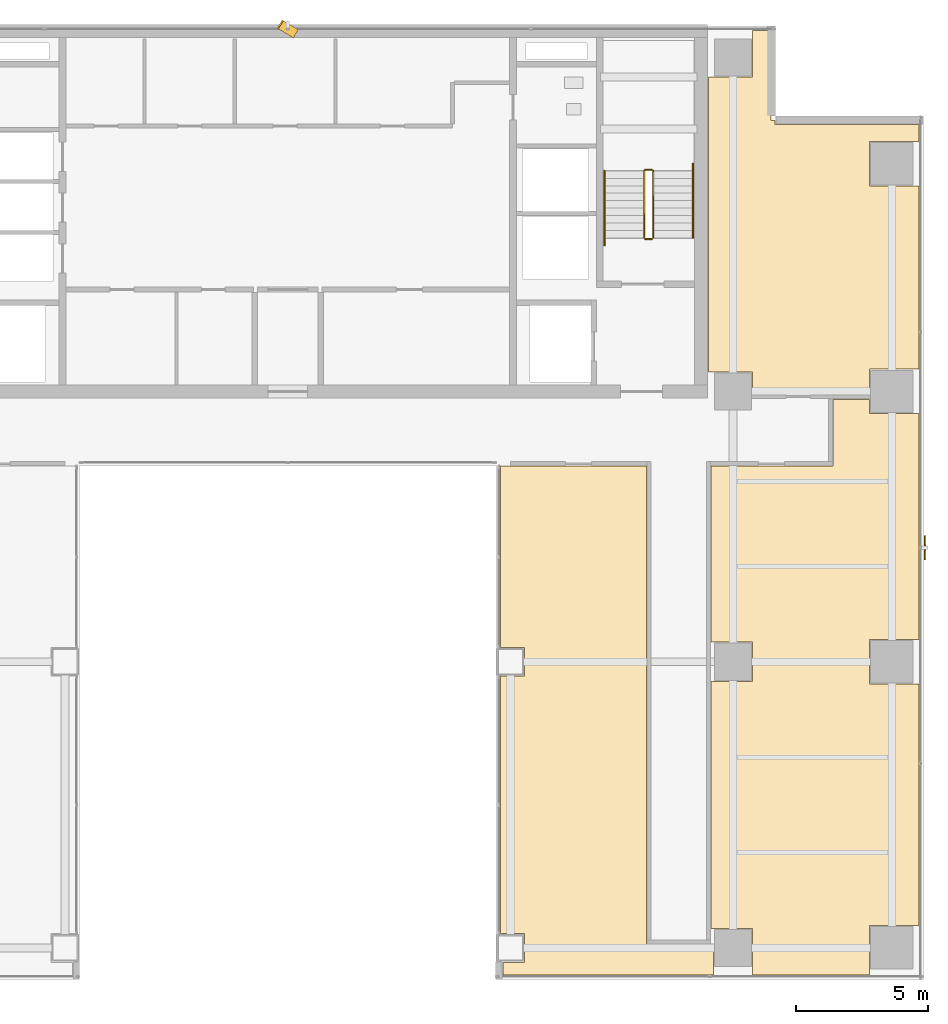
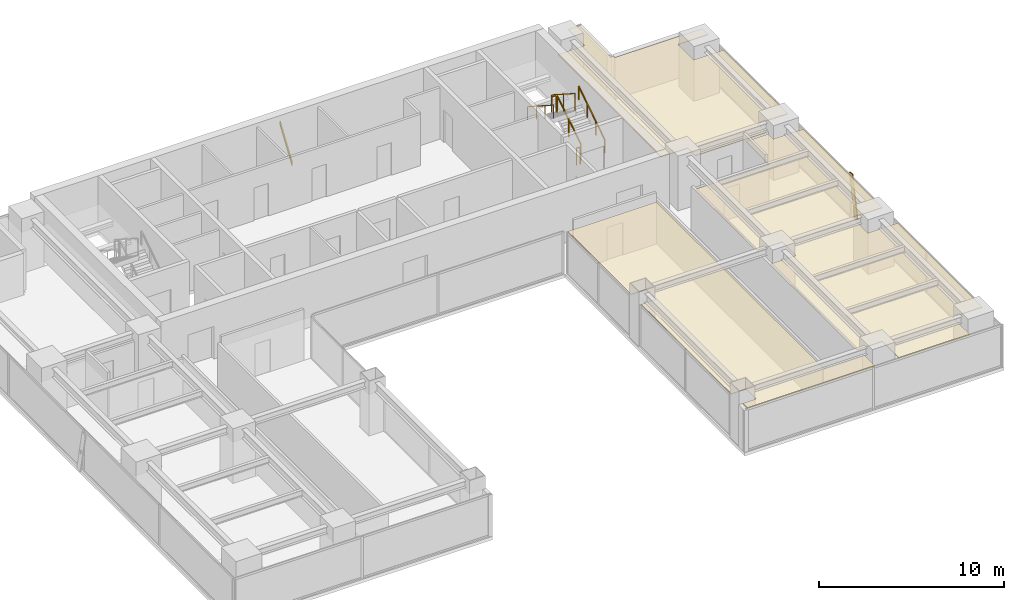
# One storey, part 27 of 28: 6 railings, 3 coverings, 2 shading devices.
"""IFC4 building model written with IfcOpenShell, lengths in metres."""

from ifc_helpers import new_model, si_unit, direction, frame, origin, origin_2d, place, context, subcontext, project, spatial, polyline, rectangle, outline, extrude, source, transform, mapped, material, layer, layer_set, material_profile, profile_set, type_object, element, save


model = new_model("IFC4")

# Units and contexts
model_context = context("Model", 3, precision=1e-05, world=origin(), true_north=direction((0.0, 1.0)))
body_context = subcontext(model_context, "Body", "Model", "MODEL_VIEW")
ifc_project = project(units=[si_unit("LENGTHUNIT", "METRE"), si_unit("AREAUNIT", "SQUARE_METRE"), si_unit("VOLUMEUNIT", "CUBIC_METRE"), si_unit("PLANEANGLEUNIT", "RADIAN"), si_unit("MASSUNIT", "GRAM", prefix="KILO")], contexts=[model_context])

# Site, building, storey
site_placement = place(None, origin())
site = spatial("IfcSite", under=ifc_project, at=site_placement, CompositionType="ELEMENT")
building_placement = place(site_placement, origin())
building = spatial("IfcBuilding", under=site, at=building_placement, Name="Sumidabori Civic Tower", CompositionType="ELEMENT")
storey_placement = place(building_placement, frame((0.0, 0.0, 210.800048828125)))
storey = spatial("IfcBuildingStorey", under=building, at=storey_placement, Name="L54", CompositionType="ELEMENT", Elevation=210.800048828125)

# Coverings
ifc_material_1 = material(Name="Perforated Timber Acoustic Ceiling", Category="wood")
ifc_layer = layer(ifc_material_1, 0.044921875, Name="Perforated Timber Acoustic Ceiling")
ifc_layer_set = layer_set([ifc_layer], Name="Perforated Timber Acoustic Ceiling")
covering_type = type_object("IfcCoveringType", Name="CV-CEIL-AC2", PredefinedType="CEILING", material=ifc_layer_set)
covering_1_placement = place(storey_placement, frame((0.0, 0.0, 2.72998046875)))
element("IfcCovering", 1, at=covering_1_placement, inside=storey, type_object=covering_type, Name="Room Acoustic Ceiling L54-02", PredefinedType="CEILING", context=body_context, shape_type="SweptSolid", body=[
    extrude(outline(polyline([(23.830078125, 20.27197265625), (23.830078125, 19.639892578125), (21.9599609375, 19.639892578125), (21.9599609375, 17.9599609375), (23.830078125, 17.9599609375), (23.830078125, 11.0400390625), (21.9599609375, 11.0400390625), (21.9599609375, 10.094970703125), (20.570068359375, 10.094970703125), (20.570068359375, 10.1201171875), (17.5400390625, 10.1201171875), (17.5400390625, 10.93994140625), (15.8779296875, 10.93994140625), (15.8779296875, 22.06005859375), (17.5400390625, 22.06005859375), (17.5400390625, 23.830078125), (18.22998046875, 23.830078125), (18.22998046875, 20.429931640625), (18.39208984375, 20.429931640625), (18.39208984375, 20.27197265625), (23.830078125, 20.27197265625)])), origin(), (0.0, 0.0, 1.0), 0.044921875),
])
covering_2_placement = place(storey_placement, frame((0.0, 0.0, 2.72998046875)))
element("IfcCovering", 2, at=covering_2_placement, inside=storey, type_object=covering_type, Name="Room Acoustic Ceiling L54-04", PredefinedType="CEILING", context=body_context, shape_type="SweptSolid", body=[
    extrude(outline(polyline([(17.5400390625, -10.06005859375), (15.969970703125, -10.06005859375), (15.969970703125, -0.739990234375), (17.5400390625, -0.739990234375), (17.5400390625, 0.739990234375), (15.969970703125, 0.739990234375), (15.969970703125, 7.3798828125), (20.570068359375, 7.3798828125), (20.570068359375, 9.905029296875), (21.9599609375, 9.905029296875), (21.9599609375, 9.360107421875), (23.830078125, 9.360107421875), (23.830078125, 0.840087890625), (21.9599609375, 0.840087890625), (21.9599609375, -0.840087890625), (23.830078125, -0.840087890625), (23.830078125, -9.9599609375), (21.9599609375, -9.9599609375), (21.9599609375, -11.830078125), (17.5400390625, -11.830078125), (17.5400390625, -10.06005859375)])), origin(), (0.0, 0.0, 1.0), 0.044921875),
])
covering_3_placement = place(storey_placement, frame((0.0, 0.0, 2.72998046875)))
element("IfcCovering", 3, at=covering_3_placement, inside=storey, type_object=covering_type, Name="Room Acoustic Ceiling L54-06", PredefinedType="CEILING", context=body_context, shape_type="SweptSolid", body=[
    extrude(outline(polyline([(8.93994140625, -11.340087890625), (8.93994140625, -10.260009765625), (8.02001953125, -10.260009765625), (8.02001953125, -0.5400390625), (8.93994140625, -0.5400390625), (8.93994140625, 0.5400390625), (8.02001953125, 0.5400390625), (8.02001953125, 7.3798828125), (13.530029296875, 7.3798828125), (13.530029296875, -10.669921875), (16.06005859375, -10.669921875), (16.06005859375, -11.830078125), (8.117919921875, -11.830078125), (8.117919921875, -11.340087890625), (8.93994140625, -11.340087890625)])), origin(), (0.0, 0.0, 1.0), 0.044921875),
])

# Railings
ifc_material_2 = material(Name="Stainless Steel Hairline Finish", Category="steel")
railing_type_1 = type_object("IfcRailingType", Name="RL-HANDRAIL", PredefinedType="HANDRAIL", material=ifc_material_2)
railing_1_placement = place(storey_placement, frame((15.2900390625, 16.0, 0.179931640625)))
element("IfcRailing", 4, at=railing_1_placement, inside=storey, type_object=railing_type_1, Name="L54 ST-2 stair handrail 1", PredefinedType="HANDRAIL", context=body_context, shape_type="SweptSolid", body=[
    extrude(rectangle(XDim=0.048095703125, YDim=0.048095703125, at=origin_2d()), frame((0.0, 0.0, 0.8759765625), z_axis=(0.0, 0.840675598268, 0.541539046124), x_axis=(-1.0, 0.0, 0.0)), (0.0, 0.0, 1.0), 3.330810546875),
    extrude(rectangle(XDim=0.0419921875, YDim=0.0419921875, at=origin_2d()), origin(), (0.0, 0.0, 1.0), 0.851806640625),
    extrude(rectangle(XDim=0.0419921875, YDim=0.0419921875, at=origin_2d()), frame((0.0, 0.933349609375, 0.601318359375)), (0.0, 0.0, 1.0), 0.851806640625),
    extrude(rectangle(XDim=0.0419921875, YDim=0.0419921875, at=origin_2d()), frame((0.0, 1.86669921875, 1.202392578125)), (0.0, 0.0, 1.0), 0.851806640625),
    extrude(rectangle(XDim=0.0419921875, YDim=0.0419921875, at=origin_2d()), frame((0.0, 2.800048828125, 1.8037109375)), (0.0, 0.0, 1.0), 0.851806640625),
])
railing_2_placement = place(storey_placement, frame((11.949951171875, 18.52001953125, 1.97998046875)))
element("IfcRailing", 5, at=railing_2_placement, inside=storey, type_object=railing_type_1, Name="L54 ST-2 stair handrail 2", PredefinedType="HANDRAIL", context=body_context, shape_type="SweptSolid", body=[
    extrude(rectangle(XDim=0.048095703125, YDim=0.048095703125, at=origin_2d()), frame((0.0, 0.0, 0.8759765625), z_axis=(0.0, -0.840675598268, 0.541539046124), x_axis=(1.0, 0.0, 0.0)), (0.0, 0.0, 1.0), 3.330810546875),
    extrude(rectangle(XDim=0.0419921875, YDim=0.0419921875, at=origin_2d()), origin(), (0.0, 0.0, 1.0), 0.851806640625),
    extrude(rectangle(XDim=0.0419921875, YDim=0.0419921875, at=origin_2d()), frame((0.0, -0.933349609375, 0.601318359375)), (0.0, 0.0, 1.0), 0.851806640625),
    extrude(rectangle(XDim=0.0419921875, YDim=0.0419921875, at=origin_2d()), frame((0.0, -1.86669921875, 1.202392578125)), (0.0, 0.0, 1.0), 0.851806640625),
    extrude(rectangle(XDim=0.0419921875, YDim=0.0419921875, at=origin_2d()), frame((0.0, -2.800048828125, 1.8037109375)), (0.0, 0.0, 1.0), 0.851806640625),
])
ifc_material_3 = material(Name="Steel SN490", Category="steel")
railing_type_2 = type_object("IfcRailingType", Name="RL-STAIR-GUARD", PredefinedType="GUARDRAIL", material=ifc_material_3)
railing_3_placement = place(storey_placement, frame((13.7900390625, 16.0, 0.179931640625)))
element("IfcRailing", 6, at=railing_3_placement, inside=storey, type_object=railing_type_2, Name="L54 ST-2 stair guard 1", PredefinedType="GUARDRAIL", context=body_context, shape_type="SweptSolid", body=[
    extrude(rectangle(XDim=0.048095703125, YDim=0.048095703125, at=origin_2d()), frame((0.0, 0.0, 1.1259765625), z_axis=(0.0, 0.841162588446, 0.540782303519), x_axis=(-1.0, 0.0, 0.0)), (0.0, 0.0, 1.0), 2.995849609375),
    extrude(rectangle(XDim=0.0419921875, YDim=0.0419921875, at=origin_2d()), origin(), (0.0, 0.0, 1.0), 1.101806640625),
    extrude(rectangle(XDim=0.0419921875, YDim=0.0419921875, at=origin_2d()), frame((0.0, 1.260009765625, 0.81005859375)), (0.0, 0.0, 1.0), 1.101806640625),
    extrude(rectangle(XDim=0.0419921875, YDim=0.0419921875, at=origin_2d()), frame((0.0, 2.52001953125, 1.6201171875)), (0.0, 0.0, 1.0), 1.101806640625),
])
railing_4_placement = place(storey_placement, frame((13.739990234375, 18.570068359375, 1.800048828125)))
element("IfcRailing", 7, at=railing_4_placement, inside=storey, type_object=railing_type_2, Name="L54 ST-2 stair guard 2", PredefinedType="GUARDRAIL", context=body_context, shape_type="SweptSolid", body=[
    extrude(rectangle(XDim=0.048095703125, YDim=0.048095703125, at=origin_2d()), frame((0.0, 0.0, 1.1259765625), z_axis=(-1.0, 0.0, 0.0), x_axis=(0.0, -1.0, 0.0)), (0.0, 0.0, 1.0), 0.239990234375),
    extrude(rectangle(XDim=0.0419921875, YDim=0.0419921875, at=origin_2d()), origin(), (0.0, 0.0, 1.0), 1.101806640625),
    extrude(rectangle(XDim=0.0419921875, YDim=0.0419921875, at=origin_2d()), frame((-0.239990234375, 0.0, 0.0)), (0.0, 0.0, 1.0), 1.101806640625),
])
railing_5_placement = place(storey_placement, frame((13.449951171875, 18.52001953125, 1.97998046875)))
element("IfcRailing", 8, at=railing_5_placement, inside=storey, type_object=railing_type_2, Name="L54 ST-2 stair guard 3", PredefinedType="GUARDRAIL", context=body_context, shape_type="SweptSolid", body=[
    extrude(rectangle(XDim=0.048095703125, YDim=0.048095703125, at=origin_2d()), frame((0.0, 0.0, 1.1259765625), z_axis=(0.0, -0.841199657755, 0.540724639528), x_axis=(1.0, 0.0, 0.0)), (0.0, 0.0, 1.0), 2.995849609375),
    extrude(rectangle(XDim=0.0419921875, YDim=0.0419921875, at=origin_2d()), origin(), (0.0, 0.0, 1.0), 1.101806640625),
    extrude(rectangle(XDim=0.0419921875, YDim=0.0419921875, at=origin_2d()), frame((0.0, -1.260009765625, 0.81005859375)), (0.0, 0.0, 1.0), 1.101806640625),
    extrude(rectangle(XDim=0.0419921875, YDim=0.0419921875, at=origin_2d()), frame((0.0, -2.52001953125, 1.619873046875)), (0.0, 0.0, 1.0), 1.101806640625),
])
railing_6_placement = place(storey_placement, frame((13.739990234375, 15.949951171875, 0.0)))
element("IfcRailing", 9, at=railing_6_placement, inside=storey, type_object=railing_type_2, Name="L54 ST-2 stair guard 4", PredefinedType="GUARDRAIL", context=body_context, shape_type="SweptSolid", body=[
    extrude(rectangle(XDim=0.048095703125, YDim=0.048095703125, at=origin_2d()), frame((0.0, 0.0, 1.1259765625), z_axis=(-1.0, 0.0, 0.0), x_axis=(0.0, -1.0, 0.0)), (0.0, 0.0, 1.0), 0.239990234375),
    extrude(rectangle(XDim=0.0419921875, YDim=0.0419921875, at=origin_2d()), origin(), (0.0, 0.0, 1.0), 1.101806640625),
    extrude(rectangle(XDim=0.0419921875, YDim=0.0419921875, at=origin_2d()), frame((-0.239990234375, 0.0, 0.0)), (0.0, 0.0, 1.0), 1.101806640625),
])

# Shading devices
ifc_material_4 = material(Name="Anodised Bronze Aluminium AW-6063-T6", Category="aluminium")
ifc_material_profile = material_profile(ifc_material_4, rectangle(XDim=0.054931640625, YDim=0.360107421875, at=origin_2d()), Name="BRONZE FIN 360x55")
ifc_profile_set = profile_set([ifc_material_profile], Name="Anodised Bronze Aluminium AW-6063-T6")
shading_device_type = type_object("IfcShadingDeviceType", Name="SH-FIN-360", PredefinedType="USERDEFINED", material=ifc_profile_set)
shared_shape_1 = source(origin(), body_context, "Body", "SweptSolid", [
    extrude(rectangle(XDim=0.054931640625, YDim=0.360107421875, at=origin_2d()), origin(), (0.0, 0.0, 1.0), 2.7783203125),
])
shading_device_1_placement = place(storey_placement, frame((0.280029296875, 23.7099609375, 0.02001953125), z_axis=(-0.201581748781, 0.122407748933, 0.971792746196), x_axis=(0.830641884105, -0.504395878186, 0.235836507862)))
element("IfcShadingDevice", 10, at=shading_device_1_placement, inside=storey, type_object=shading_device_type, Name="Bronze Anodised Diagonal Fin L54-02", ObjectType="FIN", PredefinedType="USERDEFINED", context=body_context, shape_type="MappedRepresentation", body=[
    mapped(shared_shape_1, transform((0.0, 0.0, 0.0), x_axis=(1.0, 0.0, 0.0), y_axis=(0.0, 1.0, 0.0), z_axis=(0.0, 0.0, 1.0), scale=1.0)),
])
shared_shape_2 = source(origin(), body_context, "Body", "SweptSolid", [
    extrude(rectangle(XDim=0.054931640625, YDim=0.360107421875, at=origin_2d()), origin(), (0.0, 0.0, 1.0), 2.75732421875),
])
shading_device_2_placement = place(storey_placement, frame((24.050048828125, 4.02001953125, 0.02001953125), z_axis=(0.0, 0.203109150817, 0.979156102393), x_axis=(-1.0, 0.0, 0.0)))
element("IfcShadingDevice", 11, at=shading_device_2_placement, inside=storey, type_object=shading_device_type, Name="Bronze Anodised Diagonal Fin L54-02", ObjectType="FIN", PredefinedType="USERDEFINED", context=body_context, shape_type="MappedRepresentation", body=[
    mapped(shared_shape_2, transform((0.0, 0.0, 0.0), x_axis=(1.0, 0.0, 0.0), y_axis=(0.0, 1.0, 0.0), z_axis=(0.0, 0.0, 1.0), scale=1.0)),
])

save(model, "model.ifc")
